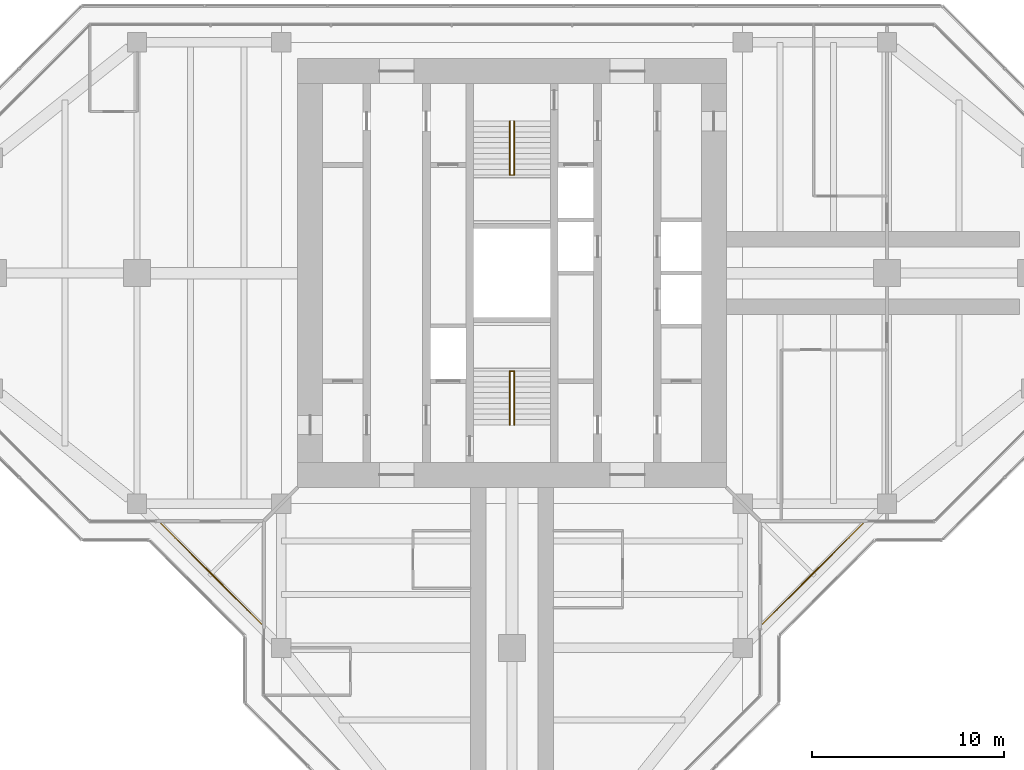
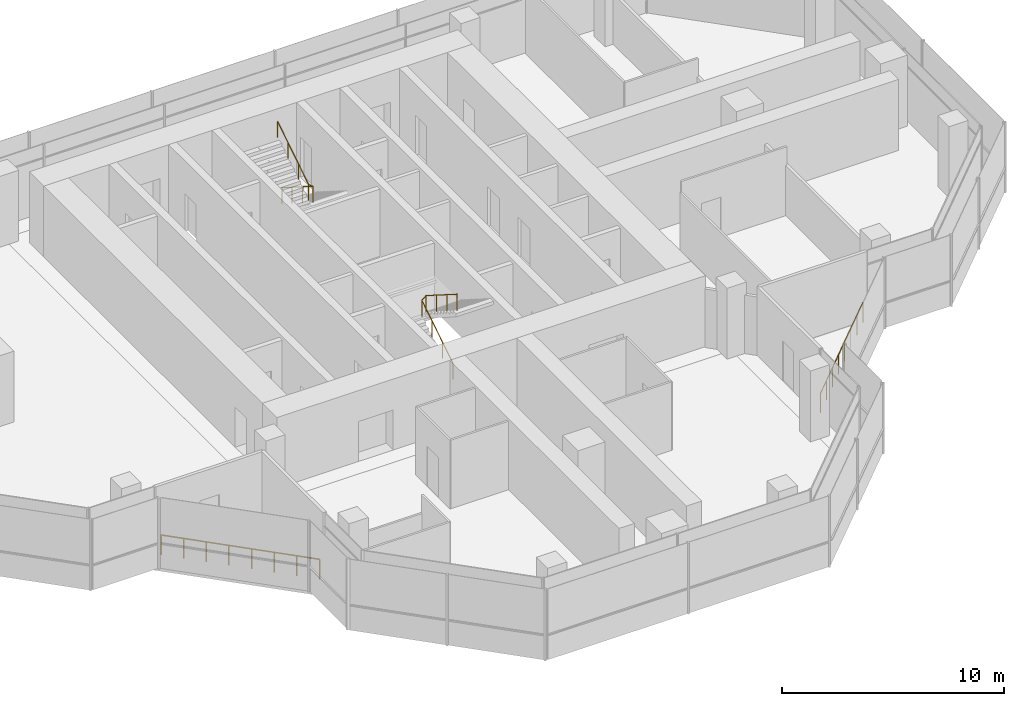
# One storey, part 15 of 15: 4 railings.
"""IFC4 building model written with IfcOpenShell, lengths in metres."""

from ifc_helpers import new_model, si_unit, direction, frame, origin, origin_2d, place, context, subcontext, project, spatial, circle, extrude, material, type_object, element, save


model = new_model("IFC4")

# Units and contexts
model_context = context("Model", 3, precision=1e-05, world=origin(), true_north=direction((0.0, 1.0)))
body_context = subcontext(model_context, "Body", "Model", "MODEL_VIEW")
ifc_project = project(units=[si_unit("LENGTHUNIT", "METRE"), si_unit("AREAUNIT", "SQUARE_METRE"), si_unit("VOLUMEUNIT", "CUBIC_METRE"), si_unit("PLANEANGLEUNIT", "RADIAN"), si_unit("MASSUNIT", "GRAM", prefix="KILO")], contexts=[model_context])

# Site, building, storey
site_placement = place(None, origin())
site = spatial("IfcSite", under=ifc_project, at=site_placement, CompositionType="ELEMENT")
building_placement = place(site_placement, origin())
building = spatial("IfcBuilding", under=site, at=building_placement, Name="Mizan Broadcast Tower", CompositionType="ELEMENT")
storey_placement = place(building_placement, frame((0.0, 0.0, 275.10009765625)))
storey = spatial("IfcBuildingStorey", under=building, at=storey_placement, Name="L65", CompositionType="ELEMENT", Elevation=275.10009765625)

# Railings
ifc_material_1 = material(Name="Stainless steel and glass guard", Category="steel")
railing_type_1 = type_object("IfcRailingType", Name="GUARD 1100", PredefinedType="GUARDRAIL", material=ifc_material_1)
railing_1_placement = place(storey_placement, frame((-18.2578125, -13.030029296875, 0.0)))
element("IfcRailing", 1, at=railing_1_placement, inside=storey, type_object=railing_type_1, Name="Winter garden guard L65 W", PredefinedType="GUARDRAIL", context=body_context, shape_type="SweptSolid", body=[
    extrude(circle(Radius=0.02392578125, at=origin_2d()), frame((0.0, 0.0, 1.076171875), z_axis=(0.707106781187, -0.707106781187, 0.0), x_axis=(0.707106781187, 0.707106781187, 0.0)), (0.0, 0.0, 1.0), 7.393310546875),
    extrude(circle(Radius=0.02099609375, at=origin_2d()), origin(), (0.0, 0.0, 1.0), 1.052001953125),
    extrude(circle(Radius=0.02099609375, at=origin_2d()), frame((0.746826171875, -0.746826171875, 0.0)), (0.0, 0.0, 1.0), 1.052001953125),
    extrude(circle(Radius=0.02099609375, at=origin_2d()), frame((1.49365234375, -1.49365234375, 0.0)), (0.0, 0.0, 1.0), 1.052001953125),
    extrude(circle(Radius=0.02099609375, at=origin_2d()), frame((2.240478515625, -2.240478515625, 0.0)), (0.0, 0.0, 1.0), 1.052001953125),
    extrude(circle(Radius=0.02099609375, at=origin_2d()), frame((2.9873046875, -2.9873046875, 0.0)), (0.0, 0.0, 1.0), 1.052001953125),
    extrude(circle(Radius=0.02099609375, at=origin_2d()), frame((3.734130859375, -3.734130859375, 0.0)), (0.0, 0.0, 1.0), 1.052001953125),
    extrude(circle(Radius=0.02099609375, at=origin_2d()), frame((4.48095703125, -4.48095703125, 0.0)), (0.0, 0.0, 1.0), 1.052001953125),
    extrude(circle(Radius=0.02099609375, at=origin_2d()), frame((5.227783203125, -5.227783203125, 0.0)), (0.0, 0.0, 1.0), 1.052001953125),
])
railing_2_placement = place(storey_placement, frame((13.030029296875, -18.2578125, 0.0)))
element("IfcRailing", 2, at=railing_2_placement, inside=storey, type_object=railing_type_1, Name="Winter garden guard L65 S", PredefinedType="GUARDRAIL", context=body_context, shape_type="SweptSolid", body=[
    extrude(circle(Radius=0.02392578125, at=origin_2d()), frame((0.0, 0.0, 1.076171875), z_axis=(0.707106781187, 0.707106781187, 0.0), x_axis=(-0.707106781187, 0.707106781187, 0.0)), (0.0, 0.0, 1.0), 7.393310546875),
    extrude(circle(Radius=0.02099609375, at=origin_2d()), origin(), (0.0, 0.0, 1.0), 1.052001953125),
    extrude(circle(Radius=0.02099609375, at=origin_2d()), frame((0.746826171875, 0.746826171875, 0.0)), (0.0, 0.0, 1.0), 1.052001953125),
    extrude(circle(Radius=0.02099609375, at=origin_2d()), frame((1.49365234375, 1.49365234375, 0.0)), (0.0, 0.0, 1.0), 1.052001953125),
    extrude(circle(Radius=0.02099609375, at=origin_2d()), frame((2.240478515625, 2.240478515625, 0.0)), (0.0, 0.0, 1.0), 1.052001953125),
    extrude(circle(Radius=0.02099609375, at=origin_2d()), frame((2.9873046875, 2.9873046875, 0.0)), (0.0, 0.0, 1.0), 1.052001953125),
    extrude(circle(Radius=0.02099609375, at=origin_2d()), frame((3.734130859375, 3.734130859375, 0.0)), (0.0, 0.0, 1.0), 1.052001953125),
    extrude(circle(Radius=0.02099609375, at=origin_2d()), frame((4.48095703125, 4.48095703125, 0.0)), (0.0, 0.0, 1.0), 1.052001953125),
    extrude(circle(Radius=0.02099609375, at=origin_2d()), frame((5.227783203125, 5.227783203125, 0.0)), (0.0, 0.0, 1.0), 1.052001953125),
])
ifc_material_2 = material(Name="Stainless steel", Category="steel")
railing_type_2 = type_object("IfcRailingType", Name="HANDRAIL 50", PredefinedType="HANDRAIL", material=ifc_material_2)
railing_3_placement = place(storey_placement, frame((-0.110107421875, -7.89990234375, 0.17724609375)))
element("IfcRailing", 3, at=railing_3_placement, inside=storey, type_object=railing_type_2, Name="Stair A handrail", PredefinedType="HANDRAIL", context=body_context, shape_type="SweptSolid", body=[
    extrude(circle(Radius=0.02392578125, at=origin_2d()), frame((0.0, 0.0, 0.8759765625), z_axis=(0.0, 0.844887892834, 0.53494340686), x_axis=(-1.0, 0.0, 0.0)), (0.0, 0.0, 1.0), 3.313720703125),
    extrude(circle(Radius=0.02392578125, at=origin_2d()), frame((0.0, 2.7998046875, 2.6484375), z_axis=(0.779011685263, 0.0, 0.627009405212), x_axis=(0.0, 1.0, 0.0)), (0.0, 0.0, 1.0), 0.28271484375),
    extrude(circle(Radius=0.02392578125, at=origin_2d()), frame((0.22021484375, 2.7998046875, 2.82568359375), z_axis=(0.0, -0.844887892834, 0.53494340686), x_axis=(1.0, 0.0, 0.0)), (0.0, 0.0, 1.0), 3.313720703125),
    extrude(circle(Radius=0.02099609375, at=origin_2d()), origin(), (0.0, 0.0, 1.0), 0.851806640625),
    extrude(circle(Radius=0.02099609375, at=origin_2d()), frame((0.0, 0.933349609375, 0.5908203125)), (0.0, 0.0, 1.0), 0.851806640625),
    extrude(circle(Radius=0.02099609375, at=origin_2d()), frame((0.0, 1.866455078125, 1.181884765625)), (0.0, 0.0, 1.0), 0.851806640625),
    extrude(circle(Radius=0.02099609375, at=origin_2d()), frame((0.0, 2.7998046875, 1.772705078125)), (0.0, 0.0, 1.0), 0.851806640625),
    extrude(circle(Radius=0.02099609375, at=origin_2d()), frame((0.22021484375, 2.7998046875, 1.949951171875)), (0.0, 0.0, 1.0), 0.851806640625),
    extrude(circle(Radius=0.02099609375, at=origin_2d()), frame((0.22021484375, 1.866455078125, 2.540771484375)), (0.0, 0.0, 1.0), 0.851806640625),
    extrude(circle(Radius=0.02099609375, at=origin_2d()), frame((0.22021484375, 0.933349609375, 3.1318359375)), (0.0, 0.0, 1.0), 0.851806640625),
    extrude(circle(Radius=0.02099609375, at=origin_2d()), frame((0.22021484375, 0.0, 3.72265625)), (0.0, 0.0, 1.0), 0.851806640625),
])
railing_4_placement = place(storey_placement, frame((0.110107421875, 7.89990234375, 0.17724609375)))
element("IfcRailing", 4, at=railing_4_placement, inside=storey, type_object=railing_type_2, Name="Stair B handrail", PredefinedType="HANDRAIL", context=body_context, shape_type="SweptSolid", body=[
    extrude(circle(Radius=0.02392578125, at=origin_2d()), frame((0.0, 0.0, 0.8759765625), z_axis=(0.0, -0.844887892834, 0.53494340686), x_axis=(1.0, 0.0, 0.0)), (0.0, 0.0, 1.0), 3.313720703125),
    extrude(circle(Radius=0.02392578125, at=origin_2d()), frame((0.0, -2.7998046875, 2.6484375), z_axis=(-0.779011685263, 0.0, 0.627009405212), x_axis=(0.0, -1.0, 0.0)), (0.0, 0.0, 1.0), 0.28271484375),
    extrude(circle(Radius=0.02392578125, at=origin_2d()), frame((-0.22021484375, -2.7998046875, 2.82568359375), z_axis=(0.0, 0.844887892834, 0.53494340686), x_axis=(-1.0, 0.0, 0.0)), (0.0, 0.0, 1.0), 3.313720703125),
    extrude(circle(Radius=0.02099609375, at=origin_2d()), origin(), (0.0, 0.0, 1.0), 0.851806640625),
    extrude(circle(Radius=0.02099609375, at=origin_2d()), frame((0.0, -0.933349609375, 0.5908203125)), (0.0, 0.0, 1.0), 0.851806640625),
    extrude(circle(Radius=0.02099609375, at=origin_2d()), frame((0.0, -1.866455078125, 1.181884765625)), (0.0, 0.0, 1.0), 0.851806640625),
    extrude(circle(Radius=0.02099609375, at=origin_2d()), frame((0.0, -2.7998046875, 1.772705078125)), (0.0, 0.0, 1.0), 0.851806640625),
    extrude(circle(Radius=0.02099609375, at=origin_2d()), frame((-0.22021484375, -2.7998046875, 1.949951171875)), (0.0, 0.0, 1.0), 0.851806640625),
    extrude(circle(Radius=0.02099609375, at=origin_2d()), frame((-0.22021484375, -1.866455078125, 2.540771484375)), (0.0, 0.0, 1.0), 0.851806640625),
    extrude(circle(Radius=0.02099609375, at=origin_2d()), frame((-0.22021484375, -0.933349609375, 3.1318359375)), (0.0, 0.0, 1.0), 0.851806640625),
    extrude(circle(Radius=0.02099609375, at=origin_2d()), frame((-0.22021484375, 0.0, 3.72265625)), (0.0, 0.0, 1.0), 0.851806640625),
])

save(model, "model.ifc")
